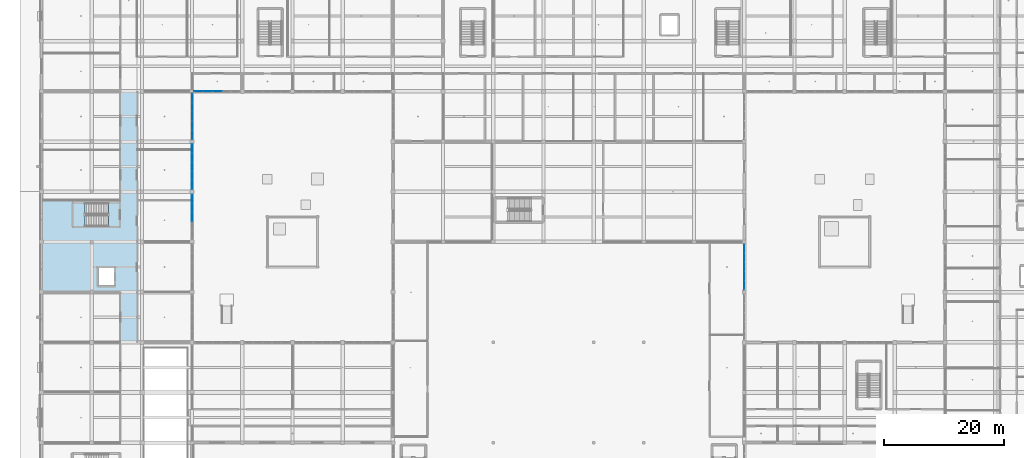
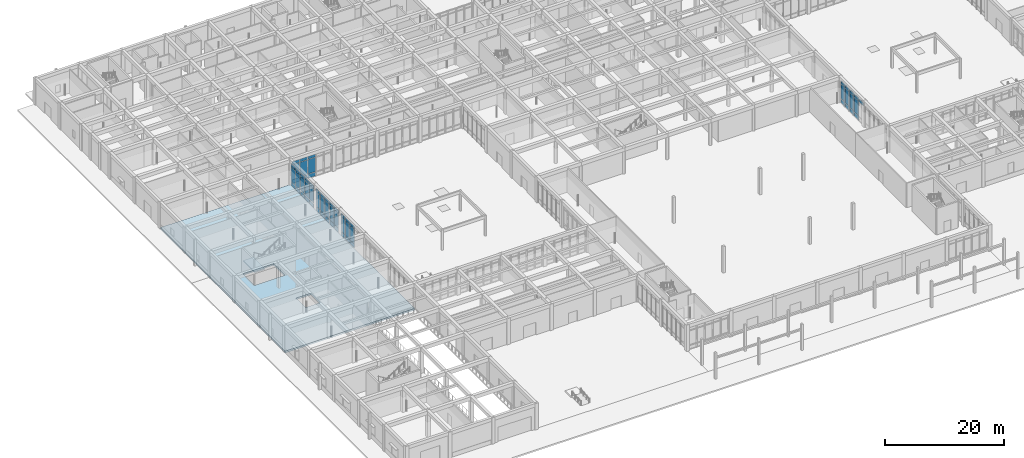
# One storey, part 50 of 167: 61 plates, 2 slabs, 6 elements without a shape of their own.
"""IFC4 building model written with IfcOpenShell, lengths in metres."""

from ifc_helpers import new_model, si_unit, direction, frame, origin, origin_2d, place, context, subcontext, project, spatial, polyline, rectangle, outline, extrude, material, layer, layer_set, type_object, element, aggregate, save


model = new_model("IFC4")

# Units and contexts
model_context = context("Model", 3, precision=1e-05, world=origin(), true_north=direction((0.0, 1.0)))
body_context = subcontext(model_context, "Body", "Model", "MODEL_VIEW")
ifc_project = project(units=[si_unit("LENGTHUNIT", "METRE"), si_unit("AREAUNIT", "SQUARE_METRE"), si_unit("VOLUMEUNIT", "CUBIC_METRE"), si_unit("PLANEANGLEUNIT", "RADIAN"), si_unit("MASSUNIT", "GRAM", prefix="KILO")], contexts=[model_context])

# Site, building, storey
site_placement = place(None, origin())
site = spatial("IfcSite", under=ifc_project, at=site_placement, CompositionType="ELEMENT")
building_placement = place(site_placement, origin())
building = spatial("IfcBuilding", under=site, at=building_placement, Name="Varncliffe General Hospital", CompositionType="ELEMENT")
storey_placement = place(building_placement, origin())
storey = spatial("IfcBuildingStorey", under=building, at=storey_placement, Name="L00", CompositionType="ELEMENT", Elevation=0.0)

# Curtain wall, plates
ifc_material_1 = material(Name="Triple low-E argon insulated vision glazing", Category="glass")
curtain_wall_type_1 = type_object("IfcCurtainWallType", Name="Unitised Glazed Curtain Wall CW26 (7594x4640)", PredefinedType="USERDEFINED", material=ifc_material_1)
curtain_wall_1_placement = place(storey_placement, origin())
curtain_wall_1 = element("IfcCurtainWall", 1, at=curtain_wall_1_placement, inside=storey, type_object=curtain_wall_type_1, Name="L00 Glazed Curtain Wall CW26-14", ObjectType="GLAZED CURTAIN WALL", PredefinedType="USERDEFINED")
ifc_layer_1 = layer(ifc_material_1, 0.0439453125)
ifc_layer_set_1 = layer_set([ifc_layer_1], Name="Triple low-E argon insulated vision glazing")
plate_type_1 = type_object("IfcPlateType", Name="Curtain Wall Glazing Panel CP12 (44mm)", PredefinedType="CURTAIN_PANEL", material=ifc_layer_set_1)
plate_1_placement = place(storey_placement, frame((25.199951171875, 64.8212890625, 0.06005859375), z_axis=(0.0, 0.0, 1.0), x_axis=(0.0, -1.0, 0.0)))
plate_1 = element("IfcPlate", 2, at=plate_1_placement, type_object=plate_type_1, Name="CW26 panel 1.1", PredefinedType="CURTAIN_PANEL", context=body_context, shape_type="SweptSolid", body=[
    extrude(rectangle(XDim=1.42138671875, YDim=0.0439453125, at=origin_2d()), origin(), (0.0, 0.0, 1.0), 0.81005859375),
])
plate_2_placement = place(storey_placement, frame((25.199951171875, 64.8212890625, 0.929931640625), z_axis=(0.0, 0.0, 1.0), x_axis=(0.0, -1.0, 0.0)))
plate_2 = element("IfcPlate", 3, at=plate_2_placement, type_object=plate_type_1, Name="CW26 panel 1.2", PredefinedType="CURTAIN_PANEL", context=body_context, shape_type="SweptSolid", body=[
    extrude(rectangle(XDim=1.42138671875, YDim=0.0439453125, at=origin_2d()), origin(), (0.0, 0.0, 1.0), 2.97998046875),
])
plate_3_placement = place(storey_placement, frame((25.199951171875, 64.8212890625, 3.9697265625), z_axis=(0.0, 0.0, 1.0), x_axis=(0.0, -1.0, 0.0)))
plate_3 = element("IfcPlate", 4, at=plate_3_placement, type_object=plate_type_1, Name="CW26 panel 1.3", PredefinedType="CURTAIN_PANEL", context=body_context, shape_type="SweptSolid", body=[
    extrude(rectangle(XDim=1.42138671875, YDim=0.0439453125, at=origin_2d()), origin(), (0.0, 0.0, 1.0), 0.610107421875),
])
plate_4_placement = place(storey_placement, frame((25.199951171875, 63.31884765625, 0.06005859375), z_axis=(0.0, 0.0, 1.0), x_axis=(0.0, -1.0, 0.0)))
plate_4 = element("IfcPlate", 5, at=plate_4_placement, type_object=plate_type_1, Name="CW26 panel 2.1", PredefinedType="CURTAIN_PANEL", context=body_context, shape_type="SweptSolid", body=[
    extrude(rectangle(XDim=1.453857421875, YDim=0.0439453125, at=origin_2d()), origin(), (0.0, 0.0, 1.0), 0.81005859375),
])
plate_5_placement = place(storey_placement, frame((25.199951171875, 63.31884765625, 0.929931640625), z_axis=(0.0, 0.0, 1.0), x_axis=(0.0, -1.0, 0.0)))
plate_5 = element("IfcPlate", 6, at=plate_5_placement, type_object=plate_type_1, Name="CW26 panel 2.2", PredefinedType="CURTAIN_PANEL", context=body_context, shape_type="SweptSolid", body=[
    extrude(rectangle(XDim=1.453857421875, YDim=0.0439453125, at=origin_2d()), origin(), (0.0, 0.0, 1.0), 2.97998046875),
])
plate_6_placement = place(storey_placement, frame((25.199951171875, 63.31884765625, 3.9697265625), z_axis=(0.0, 0.0, 1.0), x_axis=(0.0, -1.0, 0.0)))
plate_6 = element("IfcPlate", 7, at=plate_6_placement, type_object=plate_type_1, Name="CW26 panel 2.3", PredefinedType="CURTAIN_PANEL", context=body_context, shape_type="SweptSolid", body=[
    extrude(rectangle(XDim=1.453857421875, YDim=0.0439453125, at=origin_2d()), origin(), (0.0, 0.0, 1.0), 0.610107421875),
])
plate_7_placement = place(storey_placement, frame((25.199951171875, 61.800048828125, 0.06005859375), z_axis=(0.0, 0.0, 1.0), x_axis=(0.0, -1.0, 0.0)))
plate_7 = element("IfcPlate", 8, at=plate_7_placement, type_object=plate_type_1, Name="CW26 panel 3.1", PredefinedType="CURTAIN_PANEL", context=body_context, shape_type="SweptSolid", body=[
    extrude(rectangle(XDim=1.453857421875, YDim=0.0439453125, at=origin_2d()), origin(), (0.0, 0.0, 1.0), 0.81005859375),
])
plate_8_placement = place(storey_placement, frame((25.199951171875, 61.800048828125, 0.929931640625), z_axis=(0.0, 0.0, 1.0), x_axis=(0.0, -1.0, 0.0)))
plate_8 = element("IfcPlate", 9, at=plate_8_placement, type_object=plate_type_1, Name="CW26 panel 3.2", PredefinedType="CURTAIN_PANEL", context=body_context, shape_type="SweptSolid", body=[
    extrude(rectangle(XDim=1.453857421875, YDim=0.0439453125, at=origin_2d()), origin(), (0.0, 0.0, 1.0), 2.97998046875),
])
plate_9_placement = place(storey_placement, frame((25.199951171875, 61.800048828125, 3.9697265625), z_axis=(0.0, 0.0, 1.0), x_axis=(0.0, -1.0, 0.0)))
plate_9 = element("IfcPlate", 10, at=plate_9_placement, type_object=plate_type_1, Name="CW26 panel 3.3", PredefinedType="CURTAIN_PANEL", context=body_context, shape_type="SweptSolid", body=[
    extrude(rectangle(XDim=1.453857421875, YDim=0.0439453125, at=origin_2d()), origin(), (0.0, 0.0, 1.0), 0.610107421875),
])
aggregate(curtain_wall_1, [plate_1, plate_2, plate_3, plate_4, plate_5, plate_6, plate_7, plate_8, plate_9])

curtain_wall_type_2 = type_object("IfcCurtainWallType", Name="Unitised Glazed Curtain Wall CW15 (7674x4640)", PredefinedType="USERDEFINED", material=ifc_material_1)
curtain_wall_2_placement = place(storey_placement, origin())
curtain_wall_2 = element("IfcCurtainWall", 11, at=curtain_wall_2_placement, inside=storey, type_object=curtain_wall_type_2, Name="L00 Glazed Curtain Wall CW15-13", ObjectType="GLAZED CURTAIN WALL", PredefinedType="USERDEFINED")
ifc_layer_2 = layer(ifc_material_1, 0.035888671875)
ifc_layer_set_2 = layer_set([ifc_layer_2], Name="Triple low-E argon insulated vision glazing")
plate_type_2 = type_object("IfcPlateType", Name="Curtain Wall Glazing Panel CP27 (36mm)", PredefinedType="CURTAIN_PANEL", material=ifc_layer_set_2)
plate_10_placement = place(storey_placement, frame((25.199951171875, 73.250732421875, 0.06005859375), z_axis=(0.0, 0.0, 1.0), x_axis=(0.0, -1.0, 0.0)))
plate_10 = element("IfcPlate", 12, at=plate_10_placement, type_object=plate_type_2, Name="CW15 panel 1.1", PredefinedType="CURTAIN_PANEL", context=body_context, shape_type="SweptSolid", body=[
    extrude(rectangle(XDim=1.42236328125, YDim=0.035888671875, at=origin_2d()), origin(), (0.0, 0.0, 1.0), 0.81005859375),
])
plate_11_placement = place(storey_placement, frame((25.199951171875, 73.250732421875, 0.929931640625), z_axis=(0.0, 0.0, 1.0), x_axis=(0.0, -1.0, 0.0)))
plate_11 = element("IfcPlate", 13, at=plate_11_placement, type_object=plate_type_2, Name="CW15 panel 1.2", PredefinedType="CURTAIN_PANEL", context=body_context, shape_type="SweptSolid", body=[
    extrude(rectangle(XDim=1.42236328125, YDim=0.035888671875, at=origin_2d()), origin(), (0.0, 0.0, 1.0), 2.97998046875),
])
plate_12_placement = place(storey_placement, frame((25.199951171875, 73.250732421875, 3.9697265625), z_axis=(0.0, 0.0, 1.0), x_axis=(0.0, -1.0, 0.0)))
plate_12 = element("IfcPlate", 14, at=plate_12_placement, type_object=plate_type_2, Name="CW15 panel 1.3", PredefinedType="CURTAIN_PANEL", context=body_context, shape_type="SweptSolid", body=[
    extrude(rectangle(XDim=1.42236328125, YDim=0.035888671875, at=origin_2d()), origin(), (0.0, 0.0, 1.0), 0.610107421875),
])
plate_13_placement = place(storey_placement, frame((25.199951171875, 71.73486328125, 0.06005859375), z_axis=(0.0, 0.0, 1.0), x_axis=(0.0, -1.0, 0.0)))
plate_13 = element("IfcPlate", 15, at=plate_13_placement, type_object=plate_type_2, Name="CW15 panel 2.1", PredefinedType="CURTAIN_PANEL", context=body_context, shape_type="SweptSolid", body=[
    extrude(rectangle(XDim=1.459716796875, YDim=0.035888671875, at=origin_2d()), origin(), (0.0, 0.0, 1.0), 0.81005859375),
])
plate_14_placement = place(storey_placement, frame((25.199951171875, 71.73486328125, 0.929931640625), z_axis=(0.0, 0.0, 1.0), x_axis=(0.0, -1.0, 0.0)))
plate_14 = element("IfcPlate", 16, at=plate_14_placement, type_object=plate_type_2, Name="CW15 panel 2.2", PredefinedType="CURTAIN_PANEL", context=body_context, shape_type="SweptSolid", body=[
    extrude(rectangle(XDim=1.459716796875, YDim=0.035888671875, at=origin_2d()), origin(), (0.0, 0.0, 1.0), 2.97998046875),
])
plate_15_placement = place(storey_placement, frame((25.199951171875, 71.73486328125, 3.9697265625), z_axis=(0.0, 0.0, 1.0), x_axis=(0.0, -1.0, 0.0)))
plate_15 = element("IfcPlate", 17, at=plate_15_placement, type_object=plate_type_2, Name="CW15 panel 2.3", PredefinedType="CURTAIN_PANEL", context=body_context, shape_type="SweptSolid", body=[
    extrude(rectangle(XDim=1.459716796875, YDim=0.035888671875, at=origin_2d()), origin(), (0.0, 0.0, 1.0), 0.610107421875),
])
plate_16_placement = place(storey_placement, frame((25.199951171875, 70.199951171875, 0.06005859375), z_axis=(0.0, 0.0, 1.0), x_axis=(0.0, -1.0, 0.0)))
plate_16 = element("IfcPlate", 18, at=plate_16_placement, type_object=plate_type_2, Name="CW15 panel 3.1", PredefinedType="CURTAIN_PANEL", context=body_context, shape_type="SweptSolid", body=[
    extrude(rectangle(XDim=1.459716796875, YDim=0.035888671875, at=origin_2d()), origin(), (0.0, 0.0, 1.0), 0.81005859375),
])
plate_17_placement = place(storey_placement, frame((25.199951171875, 70.199951171875, 0.929931640625), z_axis=(0.0, 0.0, 1.0), x_axis=(0.0, -1.0, 0.0)))
plate_17 = element("IfcPlate", 19, at=plate_17_placement, type_object=plate_type_2, Name="CW15 panel 3.2", PredefinedType="CURTAIN_PANEL", context=body_context, shape_type="SweptSolid", body=[
    extrude(rectangle(XDim=1.459716796875, YDim=0.035888671875, at=origin_2d()), origin(), (0.0, 0.0, 1.0), 2.97998046875),
])
plate_18_placement = place(storey_placement, frame((25.199951171875, 70.199951171875, 3.9697265625), z_axis=(0.0, 0.0, 1.0), x_axis=(0.0, -1.0, 0.0)))
plate_18 = element("IfcPlate", 20, at=plate_18_placement, type_object=plate_type_2, Name="CW15 panel 3.3", PredefinedType="CURTAIN_PANEL", context=body_context, shape_type="SweptSolid", body=[
    extrude(rectangle(XDim=1.459716796875, YDim=0.035888671875, at=origin_2d()), origin(), (0.0, 0.0, 1.0), 0.610107421875),
])
plate_19_placement = place(storey_placement, frame((25.199951171875, 68.665283203125, 0.06005859375), z_axis=(0.0, 0.0, 1.0), x_axis=(0.0, -1.0, 0.0)))
plate_19 = element("IfcPlate", 21, at=plate_19_placement, type_object=plate_type_2, Name="CW15 panel 4.1", PredefinedType="CURTAIN_PANEL", context=body_context, shape_type="SweptSolid", body=[
    extrude(rectangle(XDim=1.459716796875, YDim=0.035888671875, at=origin_2d()), origin(), (0.0, 0.0, 1.0), 0.81005859375),
])
plate_20_placement = place(storey_placement, frame((25.199951171875, 68.665283203125, 0.929931640625), z_axis=(0.0, 0.0, 1.0), x_axis=(0.0, -1.0, 0.0)))
plate_20 = element("IfcPlate", 22, at=plate_20_placement, type_object=plate_type_2, Name="CW15 panel 4.2", PredefinedType="CURTAIN_PANEL", context=body_context, shape_type="SweptSolid", body=[
    extrude(rectangle(XDim=1.459716796875, YDim=0.035888671875, at=origin_2d()), origin(), (0.0, 0.0, 1.0), 2.97998046875),
])
plate_21_placement = place(storey_placement, frame((25.199951171875, 68.665283203125, 3.9697265625), z_axis=(0.0, 0.0, 1.0), x_axis=(0.0, -1.0, 0.0)))
plate_21 = element("IfcPlate", 23, at=plate_21_placement, type_object=plate_type_2, Name="CW15 panel 4.3", PredefinedType="CURTAIN_PANEL", context=body_context, shape_type="SweptSolid", body=[
    extrude(rectangle(XDim=1.459716796875, YDim=0.035888671875, at=origin_2d()), origin(), (0.0, 0.0, 1.0), 0.610107421875),
])
plate_22_placement = place(storey_placement, frame((25.199951171875, 67.149169921875, 0.06005859375), z_axis=(0.0, 0.0, 1.0), x_axis=(0.0, -1.0, 0.0)))
plate_22 = element("IfcPlate", 24, at=plate_22_placement, type_object=plate_type_2, Name="CW15 panel 5.1", PredefinedType="CURTAIN_PANEL", context=body_context, shape_type="SweptSolid", body=[
    extrude(rectangle(XDim=1.42236328125, YDim=0.035888671875, at=origin_2d()), origin(), (0.0, 0.0, 1.0), 0.81005859375),
])
plate_23_placement = place(storey_placement, frame((25.199951171875, 67.149169921875, 0.929931640625), z_axis=(0.0, 0.0, 1.0), x_axis=(0.0, -1.0, 0.0)))
plate_23 = element("IfcPlate", 25, at=plate_23_placement, type_object=plate_type_2, Name="CW15 panel 5.2", PredefinedType="CURTAIN_PANEL", context=body_context, shape_type="SweptSolid", body=[
    extrude(rectangle(XDim=1.42236328125, YDim=0.035888671875, at=origin_2d()), origin(), (0.0, 0.0, 1.0), 2.97998046875),
])
plate_24_placement = place(storey_placement, frame((25.199951171875, 67.149169921875, 3.9697265625), z_axis=(0.0, 0.0, 1.0), x_axis=(0.0, -1.0, 0.0)))
plate_24 = element("IfcPlate", 26, at=plate_24_placement, type_object=plate_type_2, Name="CW15 panel 5.3", PredefinedType="CURTAIN_PANEL", context=body_context, shape_type="SweptSolid", body=[
    extrude(rectangle(XDim=1.42236328125, YDim=0.035888671875, at=origin_2d()), origin(), (0.0, 0.0, 1.0), 0.610107421875),
])
aggregate(curtain_wall_2, [plate_10, plate_11, plate_12, plate_13, plate_14, plate_15, plate_16, plate_17, plate_18, plate_19, plate_20, plate_21, plate_22, plate_23, plate_24])

curtain_wall_3_placement = place(storey_placement, origin())
curtain_wall_3 = element("IfcCurtainWall", 27, at=curtain_wall_3_placement, inside=storey, type_object=curtain_wall_type_2, Name="L00 Glazed Curtain Wall CW15-37", ObjectType="GLAZED CURTAIN WALL", PredefinedType="USERDEFINED")
plate_25_placement = place(storey_placement, frame((117.60009765625, 56.450927734375, 0.06005859375), z_axis=(0.0, 0.0, 1.0), x_axis=(0.0, -1.0, 0.0)))
plate_25 = element("IfcPlate", 28, at=plate_25_placement, type_object=plate_type_2, Name="CW15 panel 1.1", PredefinedType="CURTAIN_PANEL", context=body_context, shape_type="SweptSolid", body=[
    extrude(rectangle(XDim=1.42236328125, YDim=0.035888671875, at=origin_2d()), origin(), (0.0, 0.0, 1.0), 0.81005859375),
])
plate_26_placement = place(storey_placement, frame((117.60009765625, 56.450927734375, 0.929931640625), z_axis=(0.0, 0.0, 1.0), x_axis=(0.0, -1.0, 0.0)))
plate_26 = element("IfcPlate", 29, at=plate_26_placement, type_object=plate_type_2, Name="CW15 panel 1.2", PredefinedType="CURTAIN_PANEL", context=body_context, shape_type="SweptSolid", body=[
    extrude(rectangle(XDim=1.42236328125, YDim=0.035888671875, at=origin_2d()), origin(), (0.0, 0.0, 1.0), 2.97998046875),
])
plate_27_placement = place(storey_placement, frame((117.60009765625, 56.450927734375, 3.9697265625), z_axis=(0.0, 0.0, 1.0), x_axis=(0.0, -1.0, 0.0)))
plate_27 = element("IfcPlate", 30, at=plate_27_placement, type_object=plate_type_2, Name="CW15 panel 1.3", PredefinedType="CURTAIN_PANEL", context=body_context, shape_type="SweptSolid", body=[
    extrude(rectangle(XDim=1.42236328125, YDim=0.035888671875, at=origin_2d()), origin(), (0.0, 0.0, 1.0), 0.610107421875),
])
plate_28_placement = place(storey_placement, frame((117.60009765625, 54.934814453125, 0.06005859375), z_axis=(0.0, 0.0, 1.0), x_axis=(0.0, -1.0, 0.0)))
plate_28 = element("IfcPlate", 31, at=plate_28_placement, type_object=plate_type_2, Name="CW15 panel 2.1", PredefinedType="CURTAIN_PANEL", context=body_context, shape_type="SweptSolid", body=[
    extrude(rectangle(XDim=1.459716796875, YDim=0.035888671875, at=origin_2d()), origin(), (0.0, 0.0, 1.0), 0.81005859375),
])
plate_29_placement = place(storey_placement, frame((117.60009765625, 54.934814453125, 0.929931640625), z_axis=(0.0, 0.0, 1.0), x_axis=(0.0, -1.0, 0.0)))
plate_29 = element("IfcPlate", 32, at=plate_29_placement, type_object=plate_type_2, Name="CW15 panel 2.2", PredefinedType="CURTAIN_PANEL", context=body_context, shape_type="SweptSolid", body=[
    extrude(rectangle(XDim=1.459716796875, YDim=0.035888671875, at=origin_2d()), origin(), (0.0, 0.0, 1.0), 2.97998046875),
])
plate_30_placement = place(storey_placement, frame((117.60009765625, 54.934814453125, 3.9697265625), z_axis=(0.0, 0.0, 1.0), x_axis=(0.0, -1.0, 0.0)))
plate_30 = element("IfcPlate", 33, at=plate_30_placement, type_object=plate_type_2, Name="CW15 panel 2.3", PredefinedType="CURTAIN_PANEL", context=body_context, shape_type="SweptSolid", body=[
    extrude(rectangle(XDim=1.459716796875, YDim=0.035888671875, at=origin_2d()), origin(), (0.0, 0.0, 1.0), 0.610107421875),
])
plate_31_placement = place(storey_placement, frame((117.60009765625, 53.39990234375, 0.06005859375), z_axis=(0.0, 0.0, 1.0), x_axis=(0.0, -1.0, 0.0)))
plate_31 = element("IfcPlate", 34, at=plate_31_placement, type_object=plate_type_2, Name="CW15 panel 3.1", PredefinedType="CURTAIN_PANEL", context=body_context, shape_type="SweptSolid", body=[
    extrude(rectangle(XDim=1.459716796875, YDim=0.035888671875, at=origin_2d()), origin(), (0.0, 0.0, 1.0), 0.81005859375),
])
plate_32_placement = place(storey_placement, frame((117.60009765625, 53.39990234375, 0.929931640625), z_axis=(0.0, 0.0, 1.0), x_axis=(0.0, -1.0, 0.0)))
plate_32 = element("IfcPlate", 35, at=plate_32_placement, type_object=plate_type_2, Name="CW15 panel 3.2", PredefinedType="CURTAIN_PANEL", context=body_context, shape_type="SweptSolid", body=[
    extrude(rectangle(XDim=1.459716796875, YDim=0.035888671875, at=origin_2d()), origin(), (0.0, 0.0, 1.0), 2.97998046875),
])
plate_33_placement = place(storey_placement, frame((117.60009765625, 53.39990234375, 3.9697265625), z_axis=(0.0, 0.0, 1.0), x_axis=(0.0, -1.0, 0.0)))
plate_33 = element("IfcPlate", 36, at=plate_33_placement, type_object=plate_type_2, Name="CW15 panel 3.3", PredefinedType="CURTAIN_PANEL", context=body_context, shape_type="SweptSolid", body=[
    extrude(rectangle(XDim=1.459716796875, YDim=0.035888671875, at=origin_2d()), origin(), (0.0, 0.0, 1.0), 0.610107421875),
])
plate_34_placement = place(storey_placement, frame((117.60009765625, 51.865234375, 0.06005859375), z_axis=(0.0, 0.0, 1.0), x_axis=(0.0, -1.0, 0.0)))
plate_34 = element("IfcPlate", 37, at=plate_34_placement, type_object=plate_type_2, Name="CW15 panel 4.1", PredefinedType="CURTAIN_PANEL", context=body_context, shape_type="SweptSolid", body=[
    extrude(rectangle(XDim=1.459716796875, YDim=0.035888671875, at=origin_2d()), origin(), (0.0, 0.0, 1.0), 0.81005859375),
])
plate_35_placement = place(storey_placement, frame((117.60009765625, 51.865234375, 0.929931640625), z_axis=(0.0, 0.0, 1.0), x_axis=(0.0, -1.0, 0.0)))
plate_35 = element("IfcPlate", 38, at=plate_35_placement, type_object=plate_type_2, Name="CW15 panel 4.2", PredefinedType="CURTAIN_PANEL", context=body_context, shape_type="SweptSolid", body=[
    extrude(rectangle(XDim=1.459716796875, YDim=0.035888671875, at=origin_2d()), origin(), (0.0, 0.0, 1.0), 2.97998046875),
])
plate_36_placement = place(storey_placement, frame((117.60009765625, 51.865234375, 3.9697265625), z_axis=(0.0, 0.0, 1.0), x_axis=(0.0, -1.0, 0.0)))
plate_36 = element("IfcPlate", 39, at=plate_36_placement, type_object=plate_type_2, Name="CW15 panel 4.3", PredefinedType="CURTAIN_PANEL", context=body_context, shape_type="SweptSolid", body=[
    extrude(rectangle(XDim=1.459716796875, YDim=0.035888671875, at=origin_2d()), origin(), (0.0, 0.0, 1.0), 0.610107421875),
])
plate_37_placement = place(storey_placement, frame((117.60009765625, 50.34912109375, 3.9697265625), z_axis=(0.0, 0.0, 1.0), x_axis=(0.0, -1.0, 0.0)))
plate_37 = element("IfcPlate", 40, at=plate_37_placement, type_object=plate_type_2, Name="CW15 panel 5.3", PredefinedType="CURTAIN_PANEL", context=body_context, shape_type="SweptSolid", body=[
    extrude(rectangle(XDim=1.42236328125, YDim=0.035888671875, at=origin_2d()), origin(), (0.0, 0.0, 1.0), 0.610107421875),
])
aggregate(curtain_wall_3, [plate_25, plate_26, plate_27, plate_28, plate_29, plate_30, plate_31, plate_32, plate_33, plate_34, plate_35, plate_36, plate_37])

curtain_wall_type_3 = type_object("IfcCurtainWallType", Name="Unitised Glazed Curtain Wall CW66 (7754x4640)", PredefinedType="USERDEFINED", material=ifc_material_1)
curtain_wall_4_placement = place(storey_placement, origin())
curtain_wall_4 = element("IfcCurtainWall", 41, at=curtain_wall_4_placement, inside=storey, type_object=curtain_wall_type_3, Name="L00 Glazed Curtain Wall CW66-12", ObjectType="GLAZED CURTAIN WALL", PredefinedType="USERDEFINED")
ifc_layer_3 = layer(ifc_material_1, 0.028076171875)
ifc_layer_set_3 = layer_set([ifc_layer_3], Name="Triple low-E argon insulated vision glazing")
plate_type_3 = type_object("IfcPlateType", Name="Curtain Wall Glazing Panel CP48 (28mm)", PredefinedType="CURTAIN_PANEL", material=ifc_layer_set_3)
plate_38_placement = place(storey_placement, frame((25.199951171875, 81.682861328125, 0.06494140625), z_axis=(0.0, 0.0, 1.0), x_axis=(0.0, -1.0, 0.0)))
plate_38 = element("IfcPlate", 42, at=plate_38_placement, type_object=plate_type_3, Name="CW66 panel 1.1", PredefinedType="CURTAIN_PANEL", context=body_context, shape_type="SweptSolid", body=[
    extrude(rectangle(XDim=1.438232421875, YDim=0.028076171875, at=origin_2d()), origin(), (0.0, 0.0, 1.0), 0.802490234375),
])
plate_39_placement = place(storey_placement, frame((25.199951171875, 81.682861328125, 0.932373046875), z_axis=(0.0, 0.0, 1.0), x_axis=(0.0, -1.0, 0.0)))
plate_39 = element("IfcPlate", 43, at=plate_39_placement, type_object=plate_type_3, Name="CW66 panel 1.2", PredefinedType="CURTAIN_PANEL", context=body_context, shape_type="SweptSolid", body=[
    extrude(rectangle(XDim=1.438232421875, YDim=0.028076171875, at=origin_2d()), origin(), (0.0, 0.0, 1.0), 2.97509765625),
])
plate_40_placement = place(storey_placement, frame((25.199951171875, 81.682861328125, 3.972412109375), z_axis=(0.0, 0.0, 1.0), x_axis=(0.0, -1.0, 0.0)))
plate_40 = element("IfcPlate", 44, at=plate_40_placement, type_object=plate_type_3, Name="CW66 panel 1.3", PredefinedType="CURTAIN_PANEL", context=body_context, shape_type="SweptSolid", body=[
    extrude(rectangle(XDim=1.438232421875, YDim=0.028076171875, at=origin_2d()), origin(), (0.0, 0.0, 1.0), 0.6025390625),
])
plate_41_placement = place(storey_placement, frame((25.199951171875, 80.15087890625, 0.06494140625), z_axis=(0.0, 0.0, 1.0), x_axis=(0.0, -1.0, 0.0)))
plate_41 = element("IfcPlate", 45, at=plate_41_placement, type_object=plate_type_3, Name="CW66 panel 2.1", PredefinedType="CURTAIN_PANEL", context=body_context, shape_type="SweptSolid", body=[
    extrude(rectangle(XDim=1.475830078125, YDim=0.028076171875, at=origin_2d()), origin(), (0.0, 0.0, 1.0), 0.802490234375),
])
plate_42_placement = place(storey_placement, frame((25.199951171875, 80.15087890625, 0.932373046875), z_axis=(0.0, 0.0, 1.0), x_axis=(0.0, -1.0, 0.0)))
plate_42 = element("IfcPlate", 46, at=plate_42_placement, type_object=plate_type_3, Name="CW66 panel 2.2", PredefinedType="CURTAIN_PANEL", context=body_context, shape_type="SweptSolid", body=[
    extrude(rectangle(XDim=1.475830078125, YDim=0.028076171875, at=origin_2d()), origin(), (0.0, 0.0, 1.0), 2.97509765625),
])
plate_43_placement = place(storey_placement, frame((25.199951171875, 80.15087890625, 3.972412109375), z_axis=(0.0, 0.0, 1.0), x_axis=(0.0, -1.0, 0.0)))
plate_43 = element("IfcPlate", 47, at=plate_43_placement, type_object=plate_type_3, Name="CW66 panel 2.3", PredefinedType="CURTAIN_PANEL", context=body_context, shape_type="SweptSolid", body=[
    extrude(rectangle(XDim=1.475830078125, YDim=0.028076171875, at=origin_2d()), origin(), (0.0, 0.0, 1.0), 0.6025390625),
])
plate_44_placement = place(storey_placement, frame((25.199951171875, 78.60009765625, 0.06494140625), z_axis=(0.0, 0.0, 1.0), x_axis=(0.0, -1.0, 0.0)))
plate_44 = element("IfcPlate", 48, at=plate_44_placement, type_object=plate_type_3, Name="CW66 panel 3.1", PredefinedType="CURTAIN_PANEL", context=body_context, shape_type="SweptSolid", body=[
    extrude(rectangle(XDim=1.475830078125, YDim=0.028076171875, at=origin_2d()), origin(), (0.0, 0.0, 1.0), 0.802490234375),
])
plate_45_placement = place(storey_placement, frame((25.199951171875, 78.60009765625, 0.932373046875), z_axis=(0.0, 0.0, 1.0), x_axis=(0.0, -1.0, 0.0)))
plate_45 = element("IfcPlate", 49, at=plate_45_placement, type_object=plate_type_3, Name="CW66 panel 3.2", PredefinedType="CURTAIN_PANEL", context=body_context, shape_type="SweptSolid", body=[
    extrude(rectangle(XDim=1.475830078125, YDim=0.028076171875, at=origin_2d()), origin(), (0.0, 0.0, 1.0), 2.97509765625),
])
plate_46_placement = place(storey_placement, frame((25.199951171875, 78.60009765625, 3.972412109375), z_axis=(0.0, 0.0, 1.0), x_axis=(0.0, -1.0, 0.0)))
plate_46 = element("IfcPlate", 50, at=plate_46_placement, type_object=plate_type_3, Name="CW66 panel 3.3", PredefinedType="CURTAIN_PANEL", context=body_context, shape_type="SweptSolid", body=[
    extrude(rectangle(XDim=1.475830078125, YDim=0.028076171875, at=origin_2d()), origin(), (0.0, 0.0, 1.0), 0.6025390625),
])
plate_47_placement = place(storey_placement, frame((25.199951171875, 77.04931640625, 0.06494140625), z_axis=(0.0, 0.0, 1.0), x_axis=(0.0, -1.0, 0.0)))
plate_47 = element("IfcPlate", 51, at=plate_47_placement, type_object=plate_type_3, Name="CW66 panel 4.1", PredefinedType="CURTAIN_PANEL", context=body_context, shape_type="SweptSolid", body=[
    extrude(rectangle(XDim=1.475830078125, YDim=0.028076171875, at=origin_2d()), origin(), (0.0, 0.0, 1.0), 0.802490234375),
])
plate_48_placement = place(storey_placement, frame((25.199951171875, 77.04931640625, 0.932373046875), z_axis=(0.0, 0.0, 1.0), x_axis=(0.0, -1.0, 0.0)))
plate_48 = element("IfcPlate", 52, at=plate_48_placement, type_object=plate_type_3, Name="CW66 panel 4.2", PredefinedType="CURTAIN_PANEL", context=body_context, shape_type="SweptSolid", body=[
    extrude(rectangle(XDim=1.475830078125, YDim=0.028076171875, at=origin_2d()), origin(), (0.0, 0.0, 1.0), 2.97509765625),
])
plate_49_placement = place(storey_placement, frame((25.199951171875, 77.04931640625, 3.972412109375), z_axis=(0.0, 0.0, 1.0), x_axis=(0.0, -1.0, 0.0)))
plate_49 = element("IfcPlate", 53, at=plate_49_placement, type_object=plate_type_3, Name="CW66 panel 4.3", PredefinedType="CURTAIN_PANEL", context=body_context, shape_type="SweptSolid", body=[
    extrude(rectangle(XDim=1.475830078125, YDim=0.028076171875, at=origin_2d()), origin(), (0.0, 0.0, 1.0), 0.6025390625),
])
plate_50_placement = place(storey_placement, frame((25.199951171875, 75.51708984375, 0.06494140625), z_axis=(0.0, 0.0, 1.0), x_axis=(0.0, -1.0, 0.0)))
plate_50 = element("IfcPlate", 54, at=plate_50_placement, type_object=plate_type_3, Name="CW66 panel 5.1", PredefinedType="CURTAIN_PANEL", context=body_context, shape_type="SweptSolid", body=[
    extrude(rectangle(XDim=1.438232421875, YDim=0.028076171875, at=origin_2d()), origin(), (0.0, 0.0, 1.0), 0.802490234375),
])
plate_51_placement = place(storey_placement, frame((25.199951171875, 75.51708984375, 0.932373046875), z_axis=(0.0, 0.0, 1.0), x_axis=(0.0, -1.0, 0.0)))
plate_51 = element("IfcPlate", 55, at=plate_51_placement, type_object=plate_type_3, Name="CW66 panel 5.2", PredefinedType="CURTAIN_PANEL", context=body_context, shape_type="SweptSolid", body=[
    extrude(rectangle(XDim=1.438232421875, YDim=0.028076171875, at=origin_2d()), origin(), (0.0, 0.0, 1.0), 2.97509765625),
])
plate_52_placement = place(storey_placement, frame((25.199951171875, 75.51708984375, 3.972412109375), z_axis=(0.0, 0.0, 1.0), x_axis=(0.0, -1.0, 0.0)))
plate_52 = element("IfcPlate", 56, at=plate_52_placement, type_object=plate_type_3, Name="CW66 panel 5.3", PredefinedType="CURTAIN_PANEL", context=body_context, shape_type="SweptSolid", body=[
    extrude(rectangle(XDim=1.438232421875, YDim=0.028076171875, at=origin_2d()), origin(), (0.0, 0.0, 1.0), 0.6025390625),
])
aggregate(curtain_wall_4, [plate_38, plate_39, plate_40, plate_41, plate_42, plate_43, plate_44, plate_45, plate_46, plate_47, plate_48, plate_49, plate_50, plate_51, plate_52])

curtain_wall_5_placement = place(storey_placement, origin())
curtain_wall_5 = element("IfcCurtainWall", 57, at=curtain_wall_5_placement, inside=storey, type_object=curtain_wall_type_3, Name="L00 Glazed Curtain Wall CW66-27", ObjectType="GLAZED CURTAIN WALL", PredefinedType="USERDEFINED")
plate_53_placement = place(storey_placement, frame((29.39990234375, 82.800048828125, 0.06494140625), z_axis=(0.0, 0.0, 1.0), x_axis=(-1.0, 0.0, 0.0)))
plate_53 = element("IfcPlate", 58, at=plate_53_placement, type_object=plate_type_3, Name="CW66 panel 3.1", PredefinedType="CURTAIN_PANEL", context=body_context, shape_type="SweptSolid", body=[
    extrude(rectangle(XDim=1.475830078125, YDim=0.028076171875, at=origin_2d()), origin(), (0.0, 0.0, 1.0), 0.802490234375),
])
plate_54_placement = place(storey_placement, frame((29.39990234375, 82.800048828125, 0.932373046875), z_axis=(0.0, 0.0, 1.0), x_axis=(-1.0, 0.0, 0.0)))
plate_54 = element("IfcPlate", 59, at=plate_54_placement, type_object=plate_type_3, Name="CW66 panel 3.2", PredefinedType="CURTAIN_PANEL", context=body_context, shape_type="SweptSolid", body=[
    extrude(rectangle(XDim=1.475830078125, YDim=0.028076171875, at=origin_2d()), origin(), (0.0, 0.0, 1.0), 2.97509765625),
])
plate_55_placement = place(storey_placement, frame((29.39990234375, 82.800048828125, 3.972412109375), z_axis=(0.0, 0.0, 1.0), x_axis=(-1.0, 0.0, 0.0)))
plate_55 = element("IfcPlate", 60, at=plate_55_placement, type_object=plate_type_3, Name="CW66 panel 3.3", PredefinedType="CURTAIN_PANEL", context=body_context, shape_type="SweptSolid", body=[
    extrude(rectangle(XDim=1.475830078125, YDim=0.028076171875, at=origin_2d()), origin(), (0.0, 0.0, 1.0), 0.6025390625),
])
plate_56_placement = place(storey_placement, frame((27.84912109375, 82.800048828125, 0.06494140625), z_axis=(0.0, 0.0, 1.0), x_axis=(-1.0, 0.0, 0.0)))
plate_56 = element("IfcPlate", 61, at=plate_56_placement, type_object=plate_type_3, Name="CW66 panel 4.1", PredefinedType="CURTAIN_PANEL", context=body_context, shape_type="SweptSolid", body=[
    extrude(rectangle(XDim=1.475830078125, YDim=0.028076171875, at=origin_2d()), origin(), (0.0, 0.0, 1.0), 0.802490234375),
])
plate_57_placement = place(storey_placement, frame((27.84912109375, 82.800048828125, 0.932373046875), z_axis=(0.0, 0.0, 1.0), x_axis=(-1.0, 0.0, 0.0)))
plate_57 = element("IfcPlate", 62, at=plate_57_placement, type_object=plate_type_3, Name="CW66 panel 4.2", PredefinedType="CURTAIN_PANEL", context=body_context, shape_type="SweptSolid", body=[
    extrude(rectangle(XDim=1.475830078125, YDim=0.028076171875, at=origin_2d()), origin(), (0.0, 0.0, 1.0), 2.97509765625),
])
plate_58_placement = place(storey_placement, frame((27.84912109375, 82.800048828125, 3.972412109375), z_axis=(0.0, 0.0, 1.0), x_axis=(-1.0, 0.0, 0.0)))
plate_58 = element("IfcPlate", 63, at=plate_58_placement, type_object=plate_type_3, Name="CW66 panel 4.3", PredefinedType="CURTAIN_PANEL", context=body_context, shape_type="SweptSolid", body=[
    extrude(rectangle(XDim=1.475830078125, YDim=0.028076171875, at=origin_2d()), origin(), (0.0, 0.0, 1.0), 0.6025390625),
])
plate_59_placement = place(storey_placement, frame((26.317138671875, 82.800048828125, 0.06494140625), z_axis=(0.0, 0.0, 1.0), x_axis=(-1.0, 0.0, 0.0)))
plate_59 = element("IfcPlate", 64, at=plate_59_placement, type_object=plate_type_3, Name="CW66 panel 5.1", PredefinedType="CURTAIN_PANEL", context=body_context, shape_type="SweptSolid", body=[
    extrude(rectangle(XDim=1.438232421875, YDim=0.028076171875, at=origin_2d()), origin(), (0.0, 0.0, 1.0), 0.802490234375),
])
plate_60_placement = place(storey_placement, frame((26.317138671875, 82.800048828125, 0.932373046875), z_axis=(0.0, 0.0, 1.0), x_axis=(-1.0, 0.0, 0.0)))
plate_60 = element("IfcPlate", 65, at=plate_60_placement, type_object=plate_type_3, Name="CW66 panel 5.2", PredefinedType="CURTAIN_PANEL", context=body_context, shape_type="SweptSolid", body=[
    extrude(rectangle(XDim=1.438232421875, YDim=0.028076171875, at=origin_2d()), origin(), (0.0, 0.0, 1.0), 2.97509765625),
])
plate_61_placement = place(storey_placement, frame((26.317138671875, 82.800048828125, 3.972412109375), z_axis=(0.0, 0.0, 1.0), x_axis=(-1.0, 0.0, 0.0)))
plate_61 = element("IfcPlate", 66, at=plate_61_placement, type_object=plate_type_3, Name="CW66 panel 5.3", PredefinedType="CURTAIN_PANEL", context=body_context, shape_type="SweptSolid", body=[
    extrude(rectangle(XDim=1.438232421875, YDim=0.028076171875, at=origin_2d()), origin(), (0.0, 0.0, 1.0), 0.6025390625),
])
aggregate(curtain_wall_5, [plate_53, plate_54, plate_55, plate_56, plate_57, plate_58, plate_59, plate_60, plate_61])

# Slab
ifc_material_2 = material(Name="Concrete C35/45 (CSA A23.1 35 MPa)", Category="concrete")
ifc_layer_4 = layer(ifc_material_2, 0.360107421875)
ifc_layer_set_4 = layer_set([ifc_layer_4], Name="Concrete C35/45 (CSA A23.1 35 MPa)")
slab_type_1 = type_object("IfcSlabType", Name="Floor Slab SL42 (Int 360mm)", PredefinedType="FLOOR", material=ifc_layer_set_4)
slab_1_placement = place(storey_placement, frame((0.0, 0.0, -0.360107421875)))
element("IfcSlab", 67, at=slab_1_placement, inside=storey, type_object=slab_type_1, Name="L00 V3 Structural Floor Slab 1", PredefinedType="FLOOR", context=body_context, shape_type="SweptSolid", body=[
    extrude(outline(polyline([(25.199951171875, 40.800048828125), (0.0, 40.800048828125), (0.0, 82.800048828125), (25.199951171875, 82.800048828125), (25.199951171875, 40.800048828125)]), holes=[polyline([(11.199951171875, 64.10009765625), (5.25, 64.10009765625), (5.25, 60.199951171875), (11.199951171875, 60.199951171875), (11.199951171875, 64.10009765625)]), polyline([(9.39990234375, 50.199951171875), (12.300048828125, 50.199951171875), (12.300048828125, 53.39990234375), (9.39990234375, 53.39990234375), (9.39990234375, 50.199951171875)])]), origin(), (0.0, 0.0, 1.0), 0.360107421875),
])

# Stair, slab
stair_type = type_object("IfcStairType", Name="Hospital Stair Assembly ST-T02 (1850w-5400h)", PredefinedType="TWO_STRAIGHT_RUN_STAIR", material=ifc_material_2)
stair_placement = place(storey_placement, origin())
stair = element("IfcStair", 68, at=stair_placement, inside=storey, type_object=stair_type, Name="L00 Diagnostic West Exit Stair 5", PredefinedType="TWO_STRAIGHT_RUN_STAIR")
ifc_layer_5 = layer(ifc_material_2, 0.199951171875)
ifc_layer_set_5 = layer_set([ifc_layer_5], Name="Concrete C35/45 (CSA A23.1 35 MPa)")
slab_type_2 = type_object("IfcSlabType", Name="Reinforced Concrete Stair Landing LND50 (200mm)", PredefinedType="LANDING", material=ifc_layer_set_5)
slab_2_placement = place(storey_placement, frame((0.0, 0.0, 2.5)))
slab_2 = element("IfcSlab", 69, at=slab_2_placement, type_object=slab_type_2, Name="ST05 landing 1", PredefinedType="LANDING", context=body_context, shape_type="SweptSolid", body=[
    extrude(outline(polyline([(7.280029296875, 64.10009765625), (5.25, 64.10009765625), (5.25, 60.199951171875), (7.280029296875, 60.199951171875), (7.280029296875, 64.10009765625)])), origin(), (0.0, 0.0, 1.0), 0.199951171875),
])
aggregate(stair, [slab_2])

save(model, "model.ifc")
